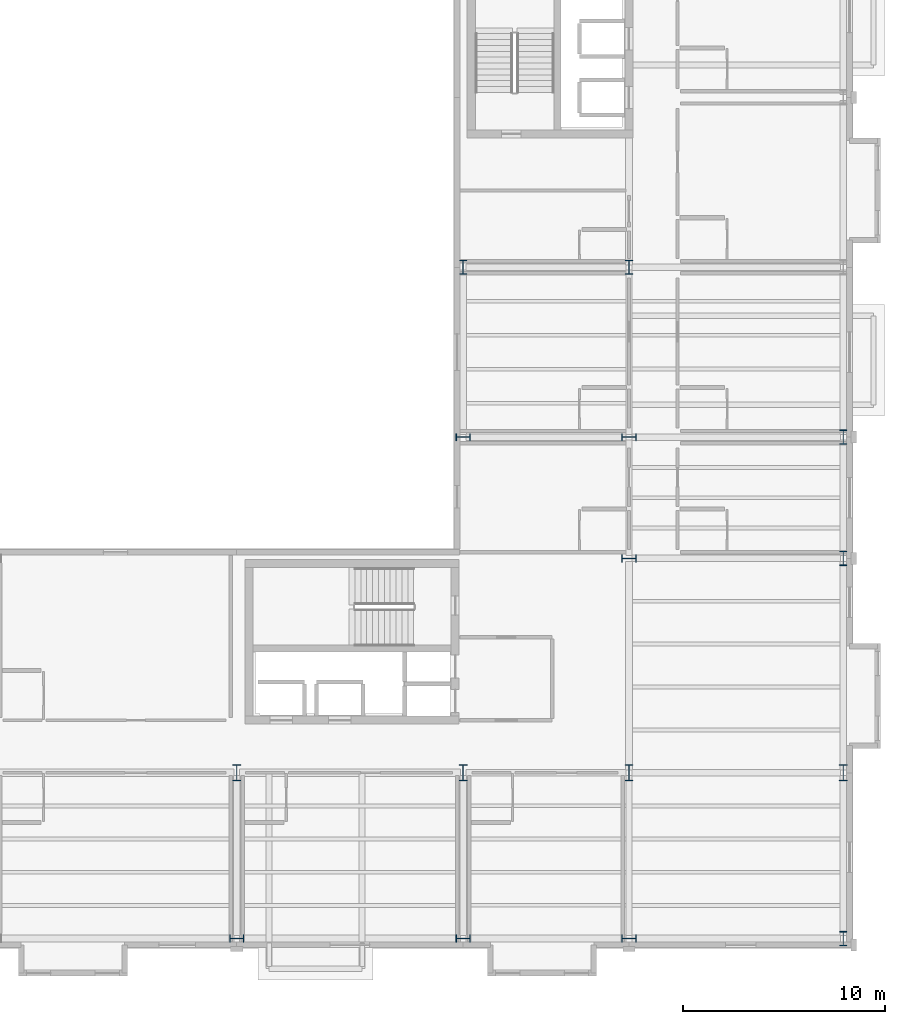
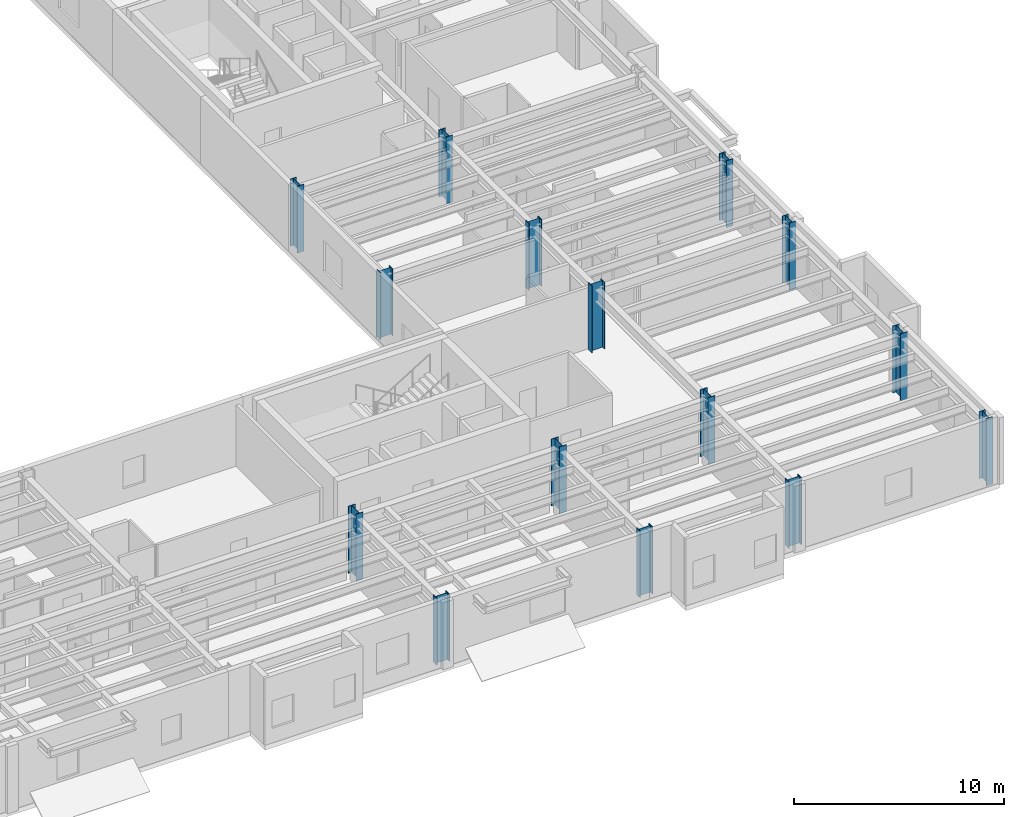
# One storey, part 8 of 46: 15 columns.
"""IFC4 building model written with IfcOpenShell, lengths in metres."""

from ifc_helpers import new_model, si_unit, direction, frame, origin, origin_2d, place, context, subcontext, project, spatial, i_section, extrude, material, material_profile, profile_set, type_object, element, save


model = new_model("IFC4")

# Units and contexts
model_context = context("Model", 3, precision=1e-05, world=origin(), true_north=direction((0.0, 1.0)))
body_context = subcontext(model_context, "Body", "Model", "MODEL_VIEW")
ifc_project = project(units=[si_unit("LENGTHUNIT", "METRE"), si_unit("AREAUNIT", "SQUARE_METRE"), si_unit("VOLUMEUNIT", "CUBIC_METRE"), si_unit("PLANEANGLEUNIT", "RADIAN"), si_unit("MASSUNIT", "GRAM", prefix="KILO")], contexts=[model_context])

# Site, building, storey
site_placement = place(None, origin())
site = spatial("IfcSite", under=ifc_project, at=site_placement, CompositionType="ELEMENT")
building_placement = place(site_placement, origin())
building = spatial("IfcBuilding", under=site, at=building_placement, Name="Sollismere Congress Hotel", CompositionType="ELEMENT")
storey_placement = place(building_placement, frame((0.0, 0.0, 19.5)))
storey = spatial("IfcBuildingStorey", under=building, at=storey_placement, Name="L04", CompositionType="ELEMENT", Elevation=19.5)

# Columns
ifc_material = material(Name="Steel ASTM A992 Grade 50", Category="steel")
ifc_material_profile_1 = material_profile(ifc_material, i_section(OverallWidth=0.35595703125, OverallDepth=0.714111328125, WebThickness=0.01904296875, FlangeThickness=0.033935546875, at=origin_2d()), Name="W27X194")
ifc_profile_set_1 = profile_set([ifc_material_profile_1], Name="Steel ASTM A992 Grade 50")
column_type_1 = type_object("IfcColumnType", Name="COL-W27", PredefinedType="COLUMN", material=ifc_profile_set_1)
for number, where, z_axis, x_axis, name in (
    (1, (136.0, 0.0, 0.0), (0.0, 0.0, 1.0), (0.0, 1.0, 0.0), "Column CL-L04-732"),
    (2, (147.199951171875, 0.0, 0.0), (0.0, 0.0, 1.0), (0.0, 1.0, 0.0), "Column CL-L04-785"),
    (3, (147.199951171875, 24.800048828125, 0.0), (0.0, 0.0, 1.0), (0.0, 1.0, 0.0), "Column CL-L04-811"),
    (4, (147.199951171875, 33.199951171875, 0.0), (0.0, 0.0, 1.0), (1.0, 0.0, 0.0), "Column CL-L04-824"),
    (5, (155.39990234375, 0.0, 0.0), (0.0, 0.0, 1.0), (0.0, 1.0, 0.0), "Column CL-L04-860"),
    (6, (155.39990234375, 18.800048828125, 0.0), (0.0, 0.0, 1.0), (0.0, 1.0, 0.0), "Column CL-L04-886"),
    (7, (155.39990234375, 24.800048828125, 0.0), (0.0, 0.0, 1.0), (0.0, 1.0, 0.0), "Column CL-L04-899"),
    (8, (155.39990234375, 33.199951171875, 0.0), (0.0, 0.0, 1.0), (1.0, 0.0, 0.0), "Column CL-L04-912"),
    (9, (166.0, 0.0, 0.0), (0.0, 0.0, 1.0), (1.0, 0.0, 0.0), "Column CL-L04-948"),
    (10, (166.0, 18.800048828125, 0.0), (0.0, 0.0, 1.0), (1.0, 0.0, 0.0), "Column CL-L04-974"),
    (11, (166.0, 24.800048828125, 0.0), (0.0, 0.0, 1.0), (1.0, 0.0, 0.0), "Column CL-L04-987"),
):
    element("IfcColumn", number, at=place(storey_placement, frame(where, z_axis=z_axis, x_axis=x_axis)), inside=storey, type_object=column_type_1, Name=name, PredefinedType="COLUMN", context=body_context, shape_type="SweptSolid", body=[
        extrude(i_section(OverallWidth=0.35595703125, OverallDepth=0.714111328125, WebThickness=0.01904296875, FlangeThickness=0.033935546875, at=origin_2d()), origin(), (0.0, 0.0, 1.0), 3.89990234375),
    ])
ifc_material_profile_2 = material_profile(ifc_material, i_section(OverallWidth=0.384033203125, OverallDepth=0.787109375, WebThickness=0.019775390625, FlangeThickness=0.033447265625, at=origin_2d()), Name="W30X211")
ifc_profile_set_2 = profile_set([ifc_material_profile_2], Name="Steel ASTM A992 Grade 50")
column_type_2 = type_object("IfcColumnType", Name="COL-W30", PredefinedType="COLUMN", material=ifc_profile_set_2)
for number, where, z_axis, x_axis, name in (
    (12, (136.0, 8.199951171875, 0.0), (0.0, 0.0, 1.0), (1.0, 0.0, 0.0), "Column CL-L04-745"),
    (13, (147.199951171875, 8.199951171875, 0.0), (0.0, 0.0, 1.0), (1.0, 0.0, 0.0), "Column CL-L04-798"),
    (14, (155.39990234375, 8.199951171875, 0.0), (0.0, 0.0, 1.0), (1.0, 0.0, 0.0), "Column CL-L04-873"),
    (15, (166.0, 8.199951171875, 0.0), (0.0, 0.0, 1.0), (1.0, 0.0, 0.0), "Column CL-L04-961"),
):
    element("IfcColumn", number, at=place(storey_placement, frame(where, z_axis=z_axis, x_axis=x_axis)), inside=storey, type_object=column_type_2, Name=name, PredefinedType="COLUMN", context=body_context, shape_type="SweptSolid", body=[
        extrude(i_section(OverallWidth=0.384033203125, OverallDepth=0.787109375, WebThickness=0.019775390625, FlangeThickness=0.033447265625, at=origin_2d()), origin(), (0.0, 0.0, 1.0), 3.89990234375),
    ])

save(model, "model.ifc")
